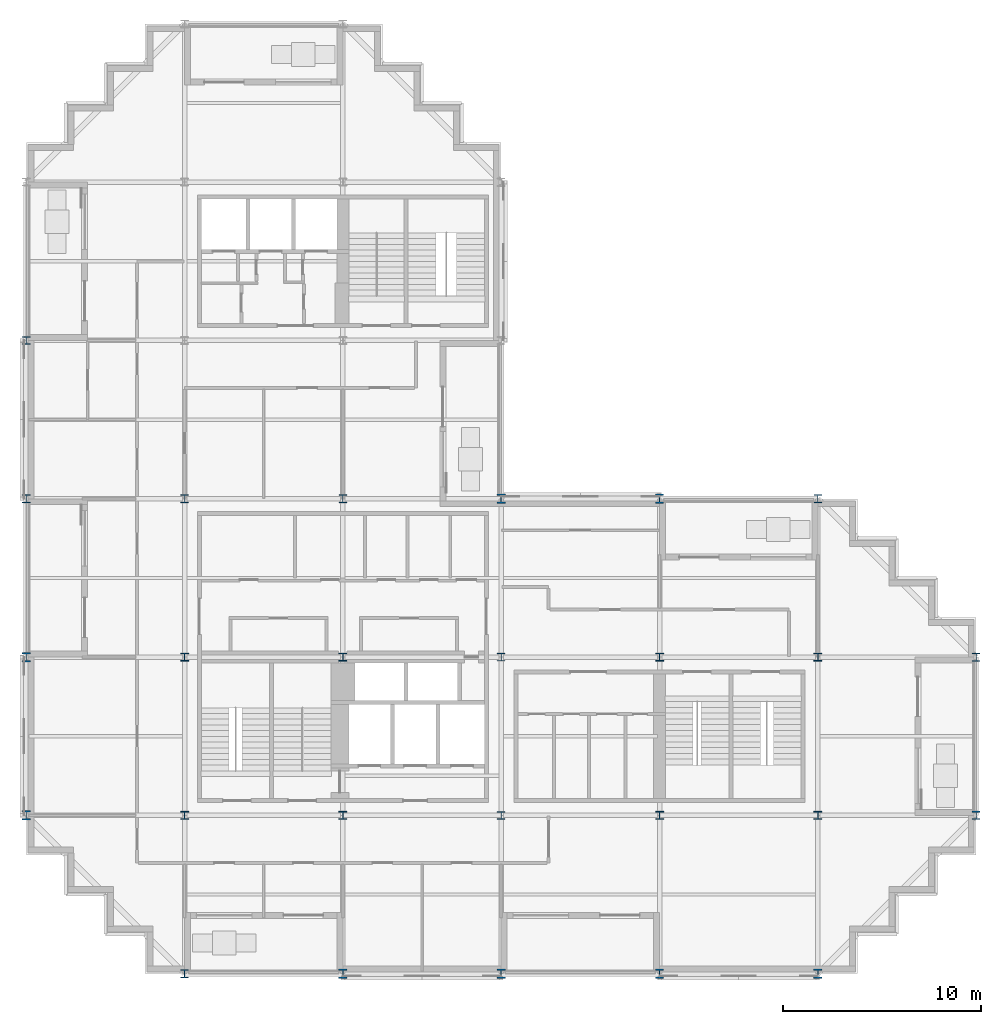
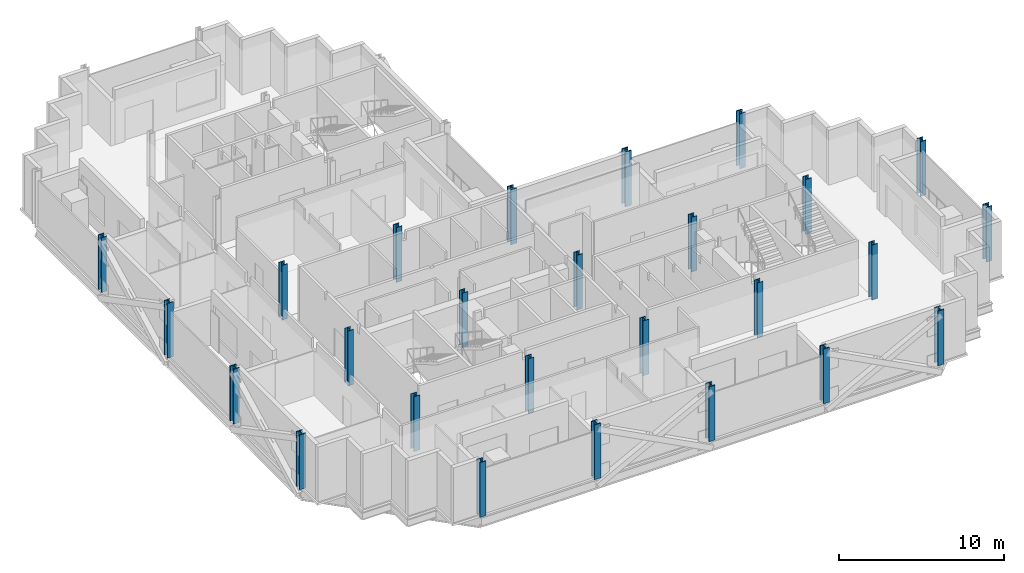
# One storey, part 1 of 12: 26 columns.
"""IFC4 building model written with IfcOpenShell, lengths in metres."""

from ifc_helpers import new_model, si_unit, direction, frame, origin, origin_2d, place, context, subcontext, project, spatial, i_section, extrude, material, material_profile, profile_set, type_object, element, save


model = new_model("IFC4")

# Units and contexts
model_context = context("Model", 3, precision=1e-05, world=origin(), true_north=direction((0.0, 1.0)))
body_context = subcontext(model_context, "Body", "Model", "MODEL_VIEW")
ifc_project = project(units=[si_unit("LENGTHUNIT", "METRE"), si_unit("AREAUNIT", "SQUARE_METRE"), si_unit("VOLUMEUNIT", "CUBIC_METRE"), si_unit("PLANEANGLEUNIT", "RADIAN"), si_unit("MASSUNIT", "GRAM", prefix="KILO")], contexts=[model_context])

# Site, building, storey
site_placement = place(None, origin())
site = spatial("IfcSite", under=ifc_project, at=site_placement, CompositionType="ELEMENT")
building_placement = place(site_placement, origin())
building = spatial("IfcBuilding", under=site, at=building_placement, Name="Immortelle Media Tower", CompositionType="ELEMENT")
storey_placement = place(building_placement, frame((0.0, 0.0, 124.199951171875)))
storey = spatial("IfcBuildingStorey", under=building, at=storey_placement, Name="L24", CompositionType="ELEMENT", Elevation=124.199951171875)

# Columns
ifc_material = material(Name="Steel ASTM A992 Gr 50", Category="steel")
ifc_material_profile_1 = material_profile(ifc_material, i_section(OverallWidth=0.40087890625, OverallDepth=0.39892578125, WebThickness=0.02490234375, FlangeThickness=0.0400390625, at=origin_2d()), Name="W14x211")
ifc_profile_set_1 = profile_set([ifc_material_profile_1], Name="Steel ASTM A992 Gr 50")
column_type_1 = type_object("IfcColumnType", Name="W14x211 column", PredefinedType="COLUMN", material=ifc_profile_set_1)
for number, where, z_axis, x_axis, name in (
    (1, (8.0, 8.0, 0.0), (0.0, 0.0, 1.0), (1.0, 0.0, 0.0), "Column 2/B"),
    (2, (8.0, 16.0, 0.0), (0.0, 0.0, 1.0), (1.0, 0.0, 0.0), "Column 2/C"),
    (3, (16.0, 8.0, 0.0), (0.0, 0.0, 1.0), (1.0, 0.0, 0.0), "Column 3/B"),
    (4, (16.0, 16.0, 0.0), (0.0, 0.0, 1.0), (1.0, 0.0, 0.0), "Column 3/C"),
    (5, (32.0, 8.0, 0.0), (0.0, 0.0, 1.0), (1.0, 0.0, 0.0), "Column 5/B"),
    (6, (32.0, 16.0, 0.0), (0.0, 0.0, 1.0), (1.0, 0.0, 0.0), "Column 5/C"),
    (7, (40.0, 8.0, 0.0), (0.0, 0.0, 1.0), (1.0, 0.0, 0.0), "Column 6/B"),
    (8, (40.0, 16.0, 0.0), (0.0, 0.0, 1.0), (1.0, 0.0, 0.0), "Column 6/C"),
):
    element("IfcColumn", number, at=place(storey_placement, frame(where, z_axis=z_axis, x_axis=x_axis)), inside=storey, type_object=column_type_1, Name=name, PredefinedType="COLUMN", context=body_context, shape_type="SweptSolid", body=[
        extrude(i_section(OverallWidth=0.40087890625, OverallDepth=0.39892578125, WebThickness=0.02490234375, FlangeThickness=0.0400390625, at=origin_2d()), origin(), (0.0, 0.0, 1.0), 4.050048828125),
    ])
ifc_material_profile_2 = material_profile(ifc_material, i_section(OverallWidth=0.406005859375, OverallDepth=0.4169921875, WebThickness=0.030029296875, FlangeThickness=0.048095703125, at=origin_2d()), Name="W14x257")
ifc_profile_set_2 = profile_set([ifc_material_profile_2], Name="Steel ASTM A992 Gr 50")
column_type_2 = type_object("IfcColumnType", Name="W14x257 column", PredefinedType="COLUMN", material=ifc_profile_set_2)
for number, where, z_axis, x_axis, name in (
    (9, (0.0, 24.0, 0.0), (0.0, 0.0, 1.0), (1.0, 0.0, 0.0), "Column 1/D"),
    (10, (0.0, 32.0, 0.0), (0.0, 0.0, 1.0), (1.0, 0.0, 0.0), "Column 1/E"),
    (11, (8.0, 24.0, 0.0), (0.0, 0.0, 1.0), (1.0, 0.0, 0.0), "Column 2/D"),
    (12, (16.0, 24.0, 0.0), (0.0, 0.0, 1.0), (1.0, 0.0, 0.0), "Column 3/D"),
    (13, (24.0, 8.0, 0.0), (0.0, 0.0, 1.0), (1.0, 0.0, 0.0), "Column 4/B"),
    (14, (24.0, 16.0, 0.0), (0.0, 0.0, 1.0), (1.0, 0.0, 0.0), "Column 4/C"),
):
    element("IfcColumn", number, at=place(storey_placement, frame(where, z_axis=z_axis, x_axis=x_axis)), inside=storey, type_object=column_type_2, Name=name, PredefinedType="COLUMN", context=body_context, shape_type="SweptSolid", body=[
        extrude(i_section(OverallWidth=0.406005859375, OverallDepth=0.4169921875, WebThickness=0.030029296875, FlangeThickness=0.048095703125, at=origin_2d()), origin(), (0.0, 0.0, 1.0), 4.050048828125),
    ])
ifc_material_profile_3 = material_profile(ifc_material, i_section(OverallWidth=0.410888671875, OverallDepth=0.43408203125, WebThickness=0.035888671875, FlangeThickness=0.056884765625, at=origin_2d()), Name="W14x311")
ifc_profile_set_3 = profile_set([ifc_material_profile_3], Name="Steel ASTM A992 Gr 50")
column_type_3 = type_object("IfcColumnType", Name="W14x311 column", PredefinedType="COLUMN", material=ifc_profile_set_3)
for number, where, z_axis, x_axis, name in (
    (15, (8.0, 0.0, 0.0), (0.0, 0.0, 1.0), (1.0, 0.0, 0.0), "Column 2/A"),
    (16, (40.0, 24.0, 0.0), (0.0, 0.0, 1.0), (1.0, 0.0, 0.0), "Column 6/D"),
    (17, (48.0, 8.0, 0.0), (0.0, 0.0, 1.0), (1.0, 0.0, 0.0), "Column 7/B"),
    (18, (48.0, 16.0, 0.0), (0.0, 0.0, 1.0), (1.0, 0.0, 0.0), "Column 7/C"),
):
    element("IfcColumn", number, at=place(storey_placement, frame(where, z_axis=z_axis, x_axis=x_axis)), inside=storey, type_object=column_type_3, Name=name, PredefinedType="COLUMN", context=body_context, shape_type="SweptSolid", body=[
        extrude(i_section(OverallWidth=0.410888671875, OverallDepth=0.43408203125, WebThickness=0.035888671875, FlangeThickness=0.056884765625, at=origin_2d()), origin(), (0.0, 0.0, 1.0), 4.050048828125),
    ])
ifc_material_profile_4 = material_profile(ifc_material, i_section(OverallWidth=0.424072265625, OverallDepth=0.47509765625, WebThickness=0.048095703125, FlangeThickness=0.076904296875, at=origin_2d()), Name="W14x426")
ifc_profile_set_4 = profile_set([ifc_material_profile_4], Name="Steel ASTM A992 Gr 50")
column_type_4 = type_object("IfcColumnType", Name="W14x426 column", PredefinedType="COLUMN", material=ifc_profile_set_4)
for number, where, z_axis, x_axis, name in (
    (19, (0.0, 8.0, 0.0), (0.0, 0.0, 1.0), (1.0, 0.0, 0.0), "Column 1/B"),
    (20, (0.0, 16.0, 0.0), (0.0, 0.0, 1.0), (1.0, 0.0, 0.0), "Column 1/C"),
    (21, (16.0, 0.0, 0.0), (0.0, 0.0, 1.0), (1.0, 0.0, 0.0), "Column 3/A"),
    (22, (24.0, 0.0, 0.0), (0.0, 0.0, 1.0), (1.0, 0.0, 0.0), "Column 4/A"),
    (23, (24.0, 24.0, 0.0), (0.0, 0.0, 1.0), (1.0, 0.0, 0.0), "Column 4/D"),
    (24, (32.0, 0.0, 0.0), (0.0, 0.0, 1.0), (1.0, 0.0, 0.0), "Column 5/A"),
    (25, (32.0, 24.0, 0.0), (0.0, 0.0, 1.0), (1.0, 0.0, 0.0), "Column 5/D"),
    (26, (40.0, 0.0, 0.0), (0.0, 0.0, 1.0), (1.0, 0.0, 0.0), "Column 6/A"),
):
    element("IfcColumn", number, at=place(storey_placement, frame(where, z_axis=z_axis, x_axis=x_axis)), inside=storey, type_object=column_type_4, Name=name, PredefinedType="COLUMN", context=body_context, shape_type="SweptSolid", body=[
        extrude(i_section(OverallWidth=0.424072265625, OverallDepth=0.47509765625, WebThickness=0.048095703125, FlangeThickness=0.076904296875, at=origin_2d()), origin(), (0.0, 0.0, 1.0), 4.050048828125),
    ])

save(model, "model.ifc")
